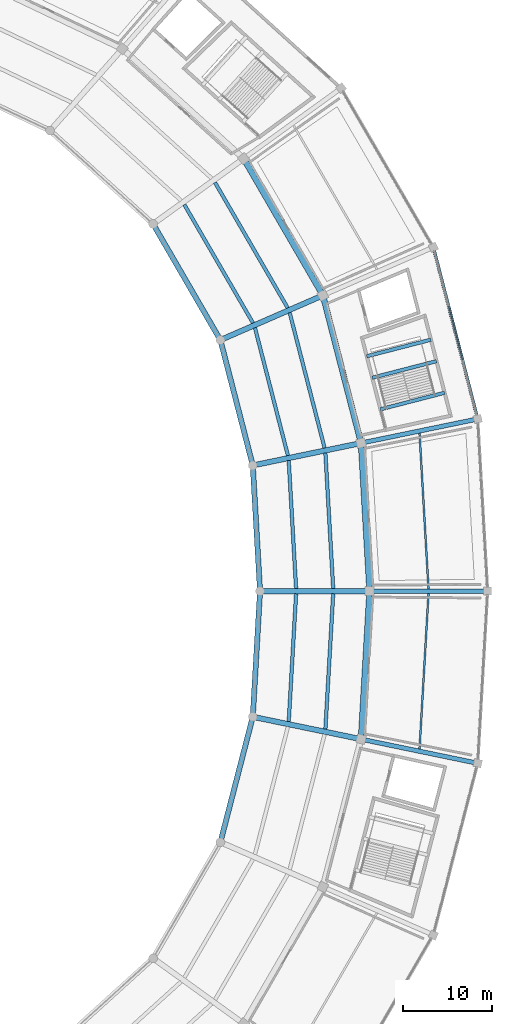
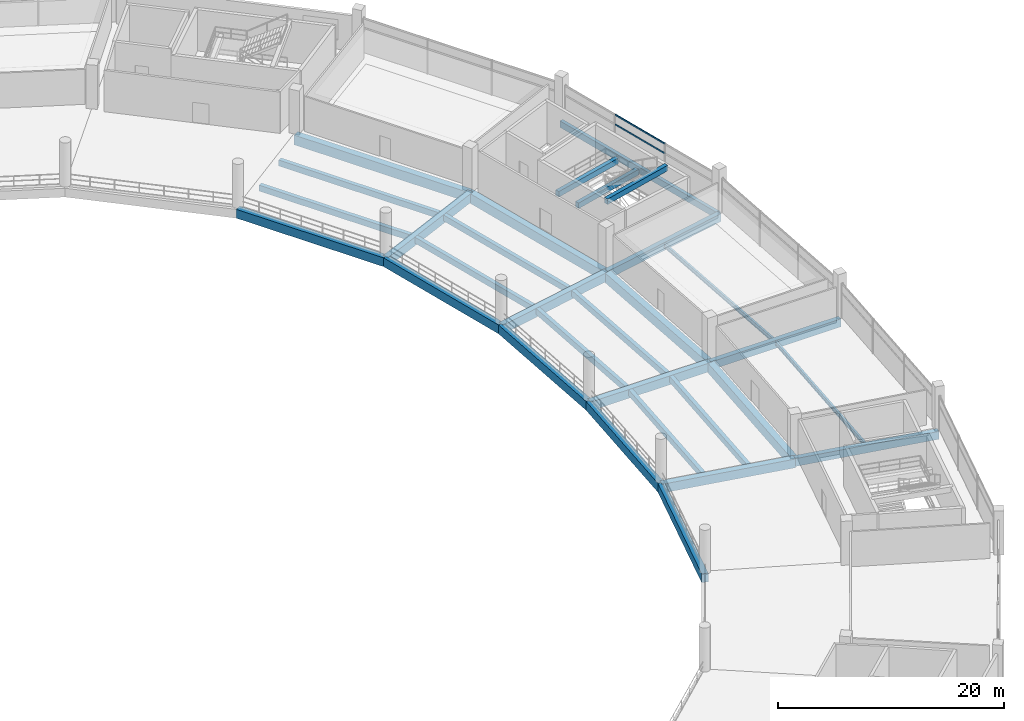
# One storey, part 68 of 171: 30 beams, 2 members, 1 element without a shape of its own.
"""IFC4 building model written with IfcOpenShell, lengths in metres."""

from ifc_helpers import new_model, si_unit, direction, frame, origin, origin_2d, place, context, subcontext, project, spatial, rectangle, hollow_rectangle, i_section, extrude, material, layer, layer_set, material_profile, profile_set, type_object, element, aggregate, save


model = new_model("IFC4")

# Units and contexts
model_context = context("Model", 3, precision=1e-05, world=origin(), true_north=direction((0.0, 1.0)))
body_context = subcontext(model_context, "Body", "Model", "MODEL_VIEW")
ifc_project = project(units=[si_unit("LENGTHUNIT", "METRE"), si_unit("AREAUNIT", "SQUARE_METRE"), si_unit("VOLUMEUNIT", "CUBIC_METRE"), si_unit("PLANEANGLEUNIT", "RADIAN"), si_unit("MASSUNIT", "GRAM", prefix="KILO")], contexts=[model_context])

# Site, building, storey
site_placement = place(None, origin())
site = spatial("IfcSite", under=ifc_project, at=site_placement, CompositionType="ELEMENT")
building_placement = place(site_placement, origin())
building = spatial("IfcBuilding", under=site, at=building_placement, Name="Kazemori Nagisa Stadium", CompositionType="ELEMENT")
storey_placement = place(building_placement, frame((0.0, 0.0, 15.639892578125)))
storey = spatial("IfcBuildingStorey", under=building, at=storey_placement, Name="L03", CompositionType="ELEMENT", Elevation=15.639892578125)

# Beams
ifc_material_1 = material(Name="Concrete C40/50 (Fc42)", Category="concrete")
ifc_material_profile_1 = material_profile(ifc_material_1, rectangle(XDim=0.39990234375, YDim=0.60009765625, at=origin_2d()), Name="RC-BM-400x600")
ifc_profile_set_1 = profile_set([ifc_material_profile_1], Name="Concrete C40/50 (Fc42)")
beam_type_1 = type_object("IfcBeamType", Name="Beam_BG-LND400X600", PredefinedType="BEAM", material=ifc_profile_set_1)
beam_1_placement = place(storey_placement, frame((205.001953125, 126.04150390625, 1.880126953125), z_axis=(0.968260482475, 0.249943269717, 0.0), x_axis=(-0.249943269717, 0.968260482475, 0.0)))
element("IfcBeam", 1, at=beam_1_placement, inside=storey, type_object=beam_type_1, Name="Core stair mid-landing girder ST07-L03-1", PredefinedType="BEAM", context=body_context, shape_type="SweptSolid", body=[
    extrude(rectangle(XDim=0.39990234375, YDim=0.60009765625, at=origin_2d()), origin(), (0.0, 0.0, 1.0), 7.468505859375),
])
beam_2_placement = place(storey_placement, frame((204.377197265625, 128.462158203125, 1.880126953125), z_axis=(0.968258440217, 0.24995118113, 0.0), x_axis=(-0.24995118113, 0.968258440217, 0.0)))
element("IfcBeam", 2, at=beam_2_placement, inside=storey, type_object=beam_type_1, Name="Core stair mid-landing girder ST07-L03-2", PredefinedType="BEAM", context=body_context, shape_type="SweptSolid", body=[
    extrude(rectangle(XDim=0.39990234375, YDim=0.60009765625, at=origin_2d()), origin(), (0.0, 0.0, 1.0), 7.46826171875),
])
beam_3_placement = place(storey_placement, frame((205.920654296875, 122.483154296875, 4.16015625), z_axis=(0.968252570883, 0.249973916595, 0.0), x_axis=(-0.249973916595, 0.968252570883, 0.0)))
element("IfcBeam", 3, at=beam_3_placement, inside=storey, type_object=beam_type_1, Name="Core stair arrival header girder ST07-L03", PredefinedType="BEAM", context=body_context, shape_type="SweptSolid", body=[
    extrude(rectangle(XDim=0.39990234375, YDim=0.60009765625, at=origin_2d()), origin(), (0.0, 0.0, 1.0), 7.468505859375),
])
ifc_material_profile_2 = material_profile(ifc_material_1, rectangle(XDim=0.5, YDim=0.85009765625, at=origin_2d()), Name="RC-BM-500x850")
ifc_profile_set_2 = profile_set([ifc_material_profile_2], Name="Concrete C40/50 (Fc42)")
beam_type_2 = type_object("IfcBeamType", Name="Beam_BG-RC500X850", PredefinedType="BEAM", material=ifc_profile_set_2)
beam_4_placement = place(storey_placement, frame((204.699951171875, 102.0, -0.684814453125), z_axis=(1.0, 0.0, 0.0), x_axis=(0.0, 1.0, 0.0)))
element("IfcBeam", 4, at=beam_4_placement, inside=storey, type_object=beam_type_2, Name="Radial girder BG-RC500X850 L03 R2-R3-01", PredefinedType="BEAM", context=body_context, shape_type="SweptSolid", body=[
    extrude(rectangle(XDim=0.5, YDim=0.85009765625, at=origin_2d()), origin(), (0.0, 0.0, 1.0), 13.300048828125),
])
for number, where, z_axis, x_axis, name in (
    (5, (203.737548828125, 118.68212890625, -0.684814453125), (0.979315516463, 0.202339119339, 0.0), (-0.202339119339, 0.979315516463, 0.0), "Radial girder BG-RC500X850 L03 R2-R3-02"),
    (6, (203.737548828125, 85.31787109375, -0.684814453125), (0.979315516463, -0.202339119339, 0.0), (0.202339119339, 0.979315516463, 0.0), "Radial girder BG-RC500X850 L03 R2-R3-28"),
):
    element("IfcBeam", number, at=place(storey_placement, frame(where, z_axis=z_axis, x_axis=x_axis)), inside=storey, type_object=beam_type_2, Name=name, PredefinedType="BEAM", context=body_context, shape_type="SweptSolid", body=[
        extrude(rectangle(XDim=0.5, YDim=0.85009765625, at=origin_2d()), origin(), (0.0, 0.0, 1.0), 13.4208984375),
    ])
ifc_material_profile_3 = material_profile(ifc_material_1, rectangle(XDim=0.60009765625, YDim=0.949951171875, at=origin_2d()), Name="RC-BM-600x950")
ifc_profile_set_3 = profile_set([ifc_material_profile_3], Name="Concrete C40/50 (Fc42)")
beam_type_3 = type_object("IfcBeamType", Name="Beam_BG-RC600X950", PredefinedType="BEAM", material=ifc_profile_set_3)
beam_5_placement = place(storey_placement, frame((192.35009765625, 102.0, -0.73486328125), z_axis=(-0.057610061423, 0.998339161219, 0.0), x_axis=(-0.998339161219, -0.057610061423, 0.0)))
element("IfcBeam", 7, at=beam_5_placement, inside=storey, type_object=beam_type_3, Name="Ring girder BG-RC600X950 L03 R1-01", PredefinedType="BEAM", context=body_context, shape_type="SweptSolid", body=[
    extrude(rectangle(XDim=0.60009765625, YDim=0.949951171875, at=origin_2d()), origin(), (0.0, 0.0, 1.0), 14.183837890625),
])
beam_6_placement = place(storey_placement, frame((191.532958984375, 116.160400390625, -0.73486328125), z_axis=(-0.249966077383, 0.9682545947, 0.0), x_axis=(-0.9682545947, -0.249966077383, 0.0)))
element("IfcBeam", 8, at=beam_6_placement, inside=storey, type_object=beam_type_3, Name="Ring girder BG-RC600X950 L03 R1-02", PredefinedType="BEAM", context=body_context, shape_type="SweptSolid", body=[
    extrude(rectangle(XDim=0.60009765625, YDim=0.949951171875, at=origin_2d()), origin(), (0.0, 0.0, 1.0), 14.58984375),
])
beam_7_placement = place(storey_placement, frame((187.885986328125, 130.287109375, -0.73486328125), z_axis=(-0.501613453924, 0.865091869597, 0.0), x_axis=(-0.865091869597, -0.501613453924, 0.0)))
element("IfcBeam", 9, at=beam_7_placement, inside=storey, type_object=beam_type_3, Name="Ring girder BG-RC600X950 L03 R1-03", PredefinedType="BEAM", context=body_context, shape_type="SweptSolid", body=[
    extrude(rectangle(XDim=0.60009765625, YDim=0.949951171875, at=origin_2d()), origin(), (0.0, 0.0, 1.0), 15.1201171875),
])
beam_8_placement = place(storey_placement, frame((187.885986328125, 73.712890625, -0.73486328125), z_axis=(0.249966077383, 0.9682545947, 0.0), x_axis=(-0.9682545947, 0.249966077383, 0.0)))
element("IfcBeam", 10, at=beam_8_placement, inside=storey, type_object=beam_type_3, Name="Ring girder BG-RC600X950 L03 R1-27", PredefinedType="BEAM", context=body_context, shape_type="SweptSolid", body=[
    extrude(rectangle(XDim=0.60009765625, YDim=0.949951171875, at=origin_2d()), origin(), (0.0, 0.0, 1.0), 14.58984375),
])
beam_9_placement = place(storey_placement, frame((191.532958984375, 87.839599609375, -0.73486328125), z_axis=(0.057610061423, 0.998339161219, 0.0), x_axis=(-0.998339161219, 0.057610061423, 0.0)))
element("IfcBeam", 11, at=beam_9_placement, inside=storey, type_object=beam_type_3, Name="Ring girder BG-RC600X950 L03 R1-28", PredefinedType="BEAM", context=body_context, shape_type="SweptSolid", body=[
    extrude(rectangle(XDim=0.60009765625, YDim=0.949951171875, at=origin_2d()), origin(), (0.0, 0.0, 1.0), 14.183837890625),
])
beam_10_placement = place(storey_placement, frame((192.35009765625, 102.0, -0.73486328125), z_axis=(1.0, 0.0, 0.0), x_axis=(0.0, 1.0, 0.0)))
element("IfcBeam", 12, at=beam_10_placement, inside=storey, type_object=beam_type_3, Name="Radial girder BG-RC600X950 L03 R1-R2-01", PredefinedType="BEAM", context=body_context, shape_type="SweptSolid", body=[
    extrude(rectangle(XDim=0.60009765625, YDim=0.949951171875, at=origin_2d()), origin(), (0.0, 0.0, 1.0), 12.349853515625),
])
beam_11_placement = place(storey_placement, frame((191.532958984375, 116.160400390625, -0.73486328125), z_axis=(0.979313861938, 0.202347127025, 0.0), x_axis=(-0.202347127025, 0.979313861938, 0.0)))
element("IfcBeam", 13, at=beam_11_placement, inside=storey, type_object=beam_type_3, Name="Radial girder BG-RC600X950 L03 R1-R2-02", PredefinedType="BEAM", context=body_context, shape_type="SweptSolid", body=[
    extrude(rectangle(XDim=0.60009765625, YDim=0.949951171875, at=origin_2d()), origin(), (0.0, 0.0, 1.0), 12.46240234375),
])
beam_12_placement = place(storey_placement, frame((187.885986328125, 130.287109375, -0.73486328125), z_axis=(0.916671768981, 0.399640923771, 0.0), x_axis=(-0.399640923771, 0.916671768981, 0.0)))
element("IfcBeam", 14, at=beam_12_placement, inside=storey, type_object=beam_type_3, Name="Radial girder BG-RC600X950 L03 R1-R2-03", PredefinedType="BEAM", context=body_context, shape_type="SweptSolid", body=[
    extrude(rectangle(XDim=0.60009765625, YDim=0.949951171875, at=origin_2d()), origin(), (0.0, 0.0, 1.0), 12.605224609375),
])
beam_13_placement = place(storey_placement, frame((191.532958984375, 87.839599609375, -0.73486328125), z_axis=(0.979313861938, -0.202347127025, 0.0), x_axis=(0.202347127025, 0.979313861938, 0.0)))
element("IfcBeam", 15, at=beam_13_placement, inside=storey, type_object=beam_type_3, Name="Radial girder BG-RC600X950 L03 R1-R2-28", PredefinedType="BEAM", context=body_context, shape_type="SweptSolid", body=[
    extrude(rectangle(XDim=0.60009765625, YDim=0.949951171875, at=origin_2d()), origin(), (0.0, 0.0, 1.0), 12.46240234375),
])
ifc_material_profile_4 = material_profile(ifc_material_1, rectangle(XDim=0.64990234375, YDim=1.050048828125, at=origin_2d()), Name="RC-BM-650x1050")
ifc_profile_set_4 = profile_set([ifc_material_profile_4], Name="Concrete C40/50 (Fc42)")
beam_type_4 = type_object("IfcBeamType", Name="Beam_BG-RC650X1050", PredefinedType="BEAM", material=ifc_profile_set_4)
beam_14_placement = place(storey_placement, frame((204.699951171875, 102.0, -0.784912109375), z_axis=(-0.057594854854, 0.998340038611, 0.0), x_axis=(-0.998340038611, -0.057594854854, 0.0)))
element("IfcBeam", 16, at=beam_14_placement, inside=storey, type_object=beam_type_4, Name="Ring girder BG-RC650X1050 L03 R2-01", PredefinedType="BEAM", context=body_context, shape_type="SweptSolid", body=[
    extrude(rectangle(XDim=0.64990234375, YDim=1.050048828125, at=origin_2d()), origin(), (0.0, 0.0, 1.0), 16.7099609375),
])
beam_15_placement = place(storey_placement, frame((203.737548828125, 118.68212890625, -0.784912109375), z_axis=(-0.249974673676, 0.968252375427, 0.0), x_axis=(-0.968252375427, -0.249974673676, 0.0)))
element("IfcBeam", 17, at=beam_15_placement, inside=storey, type_object=beam_type_4, Name="Ring girder BG-RC650X1050 L03 R2-02", PredefinedType="BEAM", context=body_context, shape_type="SweptSolid", body=[
    extrude(rectangle(XDim=0.64990234375, YDim=1.050048828125, at=origin_2d()), origin(), (0.0, 0.0, 1.0), 17.188232421875),
])
beam_16_placement = place(storey_placement, frame((199.44091796875, 135.32470703125, -0.784912109375), z_axis=(-0.501606704589, 0.865095783085, 0.0), x_axis=(-0.865095783085, -0.501606704589, 0.0)))
element("IfcBeam", 18, at=beam_16_placement, inside=storey, type_object=beam_type_4, Name="Ring girder BG-RC650X1050 L03 R2-03", PredefinedType="BEAM", context=body_context, shape_type="SweptSolid", body=[
    extrude(rectangle(XDim=0.64990234375, YDim=1.050048828125, at=origin_2d()), origin(), (0.0, 0.0, 1.0), 17.8125),
])
beam_17_placement = place(storey_placement, frame((203.737548828125, 85.31787109375, -0.784912109375), z_axis=(0.057594854854, 0.998340038611, 0.0), x_axis=(-0.998340038611, 0.057594854854, 0.0)))
element("IfcBeam", 19, at=beam_17_placement, inside=storey, type_object=beam_type_4, Name="Ring girder BG-RC650X1050 L03 R2-28", PredefinedType="BEAM", context=body_context, shape_type="SweptSolid", body=[
    extrude(rectangle(XDim=0.64990234375, YDim=1.050048828125, at=origin_2d()), origin(), (0.0, 0.0, 1.0), 16.7099609375),
])
ifc_material_2 = material(Name="Steel SN490B", Category="steel")
ifc_material_profile_5 = material_profile(ifc_material_2, i_section(OverallWidth=0.199951171875, OverallDepth=0.449951171875, WebThickness=0.009033203125, FlangeThickness=0.013916015625, FilletRadius=0.012939453125, at=origin_2d()), Name="H-450x200x9x14")
ifc_profile_set_5 = profile_set([ifc_material_profile_5], Name="Steel SN490B")
beam_type_5 = type_object("IfcBeamType", Name="Beam_BJ-H450", PredefinedType="JOIST", material=ifc_profile_set_5)
for number, where, z_axis, x_axis, name in (
    (20, (211.3359375, 102.24462890625, -0.48486328125), (-0.057605851522, 0.998339404146, 0.0), (-0.998339404146, -0.057605851522, 0.0), "Outer bay joist BJ-H450 L03 B01"),
    (21, (210.3232421875, 84.204833984375, -0.48486328125), (0.057605851522, 0.998339404146, 0.0), (-0.998339404146, 0.057605851522, 0.0), "Outer bay joist BJ-H450 L03 B28"),
):
    element("IfcBeam", number, at=place(storey_placement, frame(where, z_axis=z_axis, x_axis=x_axis)), inside=storey, type_object=beam_type_5, Name=name, PredefinedType="JOIST", context=body_context, shape_type="SweptSolid", body=[
        extrude(i_section(OverallWidth=0.199951171875, OverallDepth=0.449951171875, WebThickness=0.009033203125, FlangeThickness=0.013916015625, FilletRadius=0.012939453125, at=origin_2d()), origin(), (0.0, 0.0, 1.0), 17.579833984375),
    ])
ifc_material_profile_6 = material_profile(ifc_material_1, rectangle(XDim=0.39990234375, YDim=0.64990234375, at=origin_2d()), Name="RC-BM-400x650")
ifc_profile_set_6 = profile_set([ifc_material_profile_6], Name="Concrete C40/50 (Fc42)")
beam_type_6 = type_object("IfcBeamType", Name="Beam_BJ-RC400X650", PredefinedType="JOIST", material=ifc_profile_set_6)
beam_18_placement = place(storey_placement, frame((196.41796875, 102.29443359375, -0.5849609375), z_axis=(-0.057594265016, 0.998340072639, 0.0), x_axis=(-0.998340072639, -0.057594265016, 0.0)))
element("IfcBeam", 22, at=beam_18_placement, inside=storey, type_object=beam_type_6, Name="Concourse joist BJ-RC400X650 L03 B01-1", PredefinedType="JOIST", context=body_context, shape_type="SweptSolid", body=[
    extrude(rectangle(XDim=0.39990234375, YDim=0.64990234375, at=origin_2d()), origin(), (0.0, 0.0, 1.0), 14.429443359375),
])
beam_19_placement = place(storey_placement, frame((200.597900390625, 102.29443359375, -0.5849609375), z_axis=(-0.057599290514, 0.998339782705, 0.0), x_axis=(-0.998339782705, -0.057599290514, 0.0)))
element("IfcBeam", 23, at=beam_19_placement, inside=storey, type_object=beam_type_6, Name="Concourse joist BJ-RC400X650 L03 B01-2", PredefinedType="JOIST", context=body_context, shape_type="SweptSolid", body=[
    extrude(rectangle(XDim=0.39990234375, YDim=0.64990234375, at=origin_2d()), origin(), (0.0, 0.0, 1.0), 15.284423828125),
])
beam_20_placement = place(storey_placement, frame((195.49609375, 117.280029296875, -0.5849609375), z_axis=(-0.24996646764, 0.968254493951, 0.0), x_axis=(-0.968254493951, -0.24996646764, 0.0)))
element("IfcBeam", 24, at=beam_20_placement, inside=storey, type_object=beam_type_6, Name="Concourse joist BJ-RC400X650 L03 B02-1", PredefinedType="JOIST", context=body_context, shape_type="SweptSolid", body=[
    extrude(rectangle(XDim=0.39990234375, YDim=0.64990234375, at=origin_2d()), origin(), (0.0, 0.0, 1.0), 14.859375),
])
beam_21_placement = place(storey_placement, frame((199.626953125, 118.133544921875, -0.5849609375), z_axis=(-0.24997419154, 0.968252499901, 0.0), x_axis=(-0.968252499901, -0.24997419154, 0.0)))
element("IfcBeam", 25, at=beam_21_placement, inside=storey, type_object=beam_type_6, Name="Concourse joist BJ-RC400X650 L03 B02-2", PredefinedType="JOIST", context=body_context, shape_type="SweptSolid", body=[
    extrude(rectangle(XDim=0.39990234375, YDim=0.64990234375, at=origin_2d()), origin(), (0.0, 0.0, 1.0), 15.739013671875),
])
beam_22_placement = place(storey_placement, frame((191.56005859375, 132.20849609375, -0.5849609375), z_axis=(-0.501607199617, 0.865095496054, 0.0), x_axis=(-0.865095496054, -0.501607199617, 0.0)))
element("IfcBeam", 26, at=beam_22_placement, inside=storey, type_object=beam_type_6, Name="Concourse joist BJ-RC400X650 L03 B03-1", PredefinedType="JOIST", context=body_context, shape_type="SweptSolid", body=[
    extrude(rectangle(XDim=0.39990234375, YDim=0.64990234375, at=origin_2d()), origin(), (0.0, 0.0, 1.0), 15.420654296875),
])
beam_23_placement = place(storey_placement, frame((195.470947265625, 133.91357421875, -0.5849609375), z_axis=(-0.501604213872, 0.865097227268, 0.0), x_axis=(-0.865097227268, -0.501604213872, 0.0)))
element("IfcBeam", 27, at=beam_23_placement, inside=storey, type_object=beam_type_6, Name="Concourse joist BJ-RC400X650 L03 B03-2", PredefinedType="JOIST", context=body_context, shape_type="SweptSolid", body=[
    extrude(rectangle(XDim=0.39990234375, YDim=0.64990234375, at=origin_2d()), origin(), (0.0, 0.0, 1.0), 16.331787109375),
])
beam_24_placement = place(storey_placement, frame((195.5869140625, 87.300048828125, -0.5849609375), z_axis=(0.057594265016, 0.998340072639, 0.0), x_axis=(-0.998340072639, 0.057594265016, 0.0)))
element("IfcBeam", 28, at=beam_24_placement, inside=storey, type_object=beam_type_6, Name="Concourse joist BJ-RC400X650 L03 B28-1", PredefinedType="JOIST", context=body_context, shape_type="SweptSolid", body=[
    extrude(rectangle(XDim=0.39990234375, YDim=0.64990234375, at=origin_2d()), origin(), (0.0, 0.0, 1.0), 14.429443359375),
])
beam_25_placement = place(storey_placement, frame((199.717529296875, 86.446533203125, -0.5849609375), z_axis=(0.057599290514, 0.998339782705, 0.0), x_axis=(-0.998339782705, 0.057599290514, 0.0)))
element("IfcBeam", 29, at=beam_25_placement, inside=storey, type_object=beam_type_6, Name="Concourse joist BJ-RC400X650 L03 B28-2", PredefinedType="JOIST", context=body_context, shape_type="SweptSolid", body=[
    extrude(rectangle(XDim=0.39990234375, YDim=0.64990234375, at=origin_2d()), origin(), (0.0, 0.0, 1.0), 15.284423828125),
])
ifc_material_profile_7 = material_profile(ifc_material_1, rectangle(XDim=0.35009765625, YDim=0.699951171875, at=origin_2d()), Name="RC-SP-350x700")
ifc_profile_set_7 = profile_set([ifc_material_profile_7], Name="Concrete C40/50 (Fc42)")
beam_type_7 = type_object("IfcBeamType", Name="Beam_BS-RC350X700", PredefinedType="SPANDREL", material=ifc_profile_set_7)
beam_26_placement = place(storey_placement, frame((216.880859375, 121.397705078125, -0.60986328125), z_axis=(-0.249964097999, 0.968255105699, 0.0), x_axis=(-0.968255105699, -0.249964097999, 0.0)))
element("IfcBeam", 30, at=beam_26_placement, inside=storey, type_object=beam_type_7, Name="Ring girder BS-RC350X700 L03 R3-02", PredefinedType="SPANDREL", context=body_context, shape_type="SweptSolid", body=[
    extrude(rectangle(XDim=0.35009765625, YDim=0.699951171875, at=origin_2d()), origin(), (0.0, 0.0, 1.0), 19.986328125),
])

# Curtain wall, members
ifc_material_3 = material(Name="Anodised aluminium 6063-T5", Category="aluminium")
ifc_layer = layer(ifc_material_3, 0.2099609375, Name="Anodised aluminium 6063-T5", Category="aluminium")
ifc_layer_set = layer_set([ifc_layer], Name="Anodised aluminium 6063-T5")
curtain_wall_type = type_object("IfcCurtainWallType", Name="CW_L03R3_96", PredefinedType="USERDEFINED", material=ifc_layer_set)
curtain_wall_placement = place(storey_placement, origin())
curtain_wall = element("IfcCurtainWall", 31, at=curtain_wall_placement, inside=storey, type_object=curtain_wall_type, Name="Unitised curtain wall CW-L03R3-96 L03", ObjectType="UNITISED CURTAIN WALL", PredefinedType="USERDEFINED")
ifc_material_4 = material(Name="Aluminium 6063-T5 anodised", Category="aluminium")
ifc_material_profile_8 = material_profile(ifc_material_4, hollow_rectangle(XDim=0.080078125, YDim=0.159912109375, WallThickness=0.00390625, at=origin_2d()), Name="ALU-TRAN-80x160x4")
ifc_profile_set_8 = profile_set([ifc_material_profile_8], Name="Aluminium 6063-T5 anodised")
member_type = type_object("IfcMemberType", Name="Transom_T02", PredefinedType="USERDEFINED", material=ifc_profile_set_8)
member_1_placement = place(storey_placement, frame((215.1708984375, 128.02099609375, 2.705322265625), z_axis=(-0.249971699633, 0.968253143234, 0.0), x_axis=(-0.968253143234, -0.249971699633, 0.0)))
member_1 = element("IfcMember", 32, at=member_1_placement, type_object=member_type, Name="Curtain wall transom CW-L03R3-96-T2-mid", ObjectType="TRANSOM", PredefinedType="USERDEFINED", context=body_context, shape_type="SweptSolid", body=[
    extrude(hollow_rectangle(XDim=0.080078125, YDim=0.159912109375, WallThickness=0.00390625, at=origin_2d()), origin(), (0.0, 0.0, 1.0), 6.305419921875),
])
member_2_placement = place(storey_placement, frame((215.1708984375, 128.02099609375, 3.739990234375), z_axis=(-0.249971699633, 0.968253143234, 0.0), x_axis=(-0.968253143234, -0.249971699633, 0.0)))
member_2 = element("IfcMember", 33, at=member_2_placement, type_object=member_type, Name="Curtain wall transom CW-L03R3-96-T2-head", ObjectType="TRANSOM", PredefinedType="USERDEFINED", context=body_context, shape_type="SweptSolid", body=[
    extrude(hollow_rectangle(XDim=0.080078125, YDim=0.159912109375, WallThickness=0.00390625, at=origin_2d()), origin(), (0.0, 0.0, 1.0), 6.305419921875),
])
aggregate(curtain_wall, [member_1, member_2])

save(model, "model.ifc")
